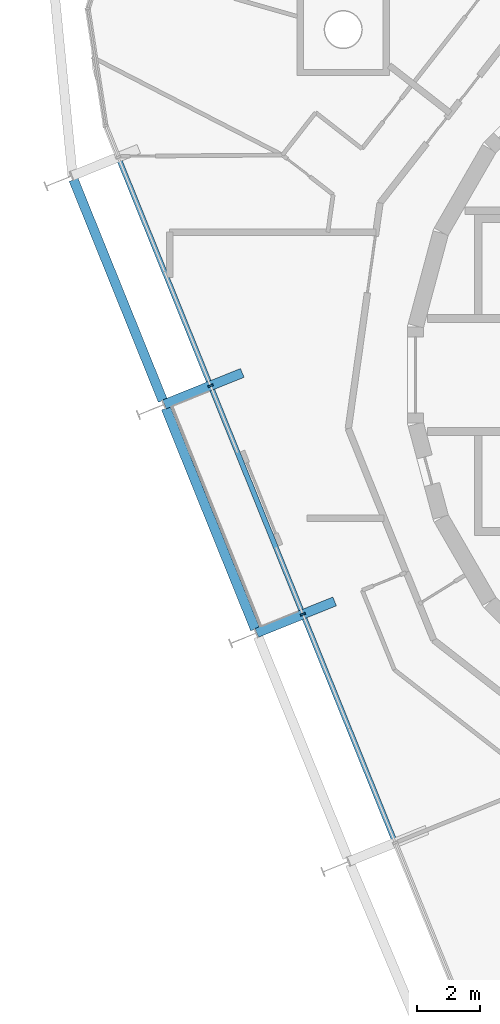
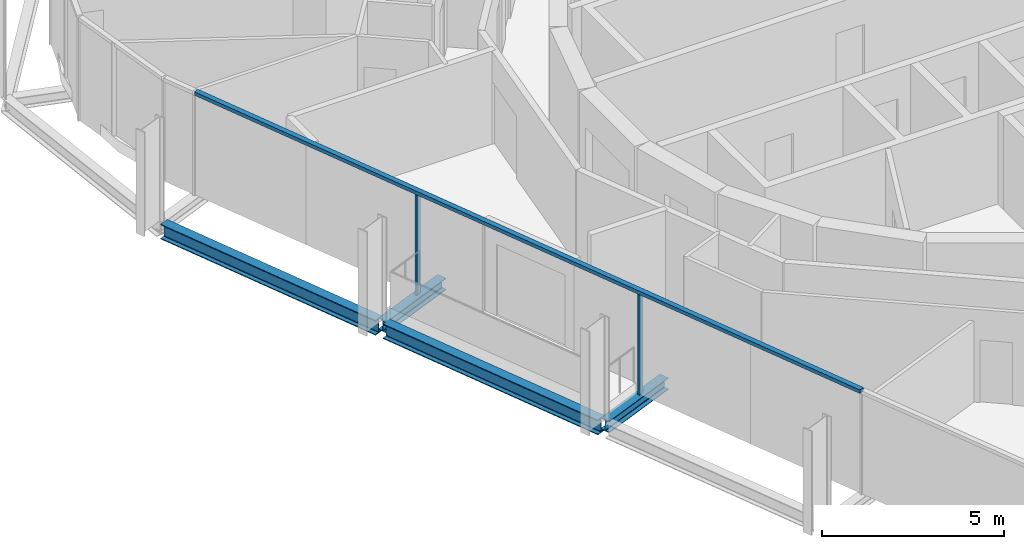
# One storey, part 3 of 15: 4 beams, 3 members, 1 element without a shape of its own.
"""IFC4 building model written with IfcOpenShell, lengths in metres."""

import ifcopenshell
import ifcopenshell.guid

model = None  # the IFC model being written
_history = None  # IfcOwnerHistory: only IFC2X3 demands one
_inside = {}  # id of a spatial element -> (the spatial element, [elements in it])
_under = {}  # id of a project, library or spatial element -> (it, [spatial elements below it])
_declared = {}  # id of a project -> (the project, [libraries it declares])
_typed = {}  # id of a type object -> (the type object, [elements of that type])
_made_of = {}  # id of a material, layer set ... -> (it, [elements and type objects made of it])


def new_model(schema):
    """Start an empty IFC model of exactly this schema.

    Asked for "IFC4X3", IfcOpenShell would pick the latest addendum, in which some entities
    have other attributes; the version numbers below select the first issue.
    IFC2X3 requires an IfcOwnerHistory on every rooted entity: one is made here for all.
    """
    global model, _history
    if schema == "IFC4X3":
        model = ifcopenshell.file(schema_version=(4, 3, 0, 0))
    else:
        model = ifcopenshell.file(schema=schema)
    _inside.clear()
    _under.clear()
    _declared.clear()
    _typed.clear()
    _made_of.clear()
    _history = None
    if model.schema == "IFC2X3":
        org = make("IfcOrganization", Name="unknown")
        user = make(
            "IfcPersonAndOrganization",
            ThePerson=make("IfcPerson", FamilyName="unknown"),
            TheOrganization=org,
        )
        app = make(
            "IfcApplication",
            ApplicationDeveloper=org,
            Version="unknown",
            ApplicationFullName="unknown",
            ApplicationIdentifier="unknown",
        )
        _history = make(
            "IfcOwnerHistory",
            OwningUser=user,
            OwningApplication=app,
            ChangeAction="ADDED",
            CreationDate=0,
        )
    return model


def make(cls, **values):
    """One entity of the class cls with the attributes given. An attribute that is None is left unset."""
    return model.create_entity(
        cls, **{name: value for name, value in values.items() if value is not None}
    )


def rooted(cls, **values):
    """An entity with a GlobalId (a new one), such as an element, a storey or a relation."""
    return make(cls, GlobalId=ifcopenshell.guid.new(), OwnerHistory=_history, **values)


def si_unit(unit_type, name, prefix=None):
    """IfcSIUnit, for example si_unit("LENGTHUNIT", "METRE", prefix="MILLI")."""
    return make("IfcSIUnit", UnitType=unit_type, Prefix=prefix, Name=name)


def assignment(units):
    """IfcUnitAssignment: the units of a project."""
    return None if units is None else make("IfcUnitAssignment", Units=units)


def point(xyz):
    """IfcCartesianPoint."""
    return None if xyz is None else make("IfcCartesianPoint", Coordinates=xyz)


def direction(xyz):
    """IfcDirection."""
    return None if xyz is None else make("IfcDirection", DirectionRatios=xyz)


def frame(location, z_axis=None, x_axis=None):
    """IfcAxis2Placement3D, a coordinate frame: its origin and axes. An axis left out is left unset."""
    return make(
        "IfcAxis2Placement3D",
        Location=point(location),
        Axis=direction(z_axis),
        RefDirection=direction(x_axis),
    )


def frame_2d(location, x_axis=None):
    """IfcAxis2Placement2D, a coordinate frame in the plane: its origin and x axis."""
    return make(
        "IfcAxis2Placement2D", Location=point(location), RefDirection=direction(x_axis)
    )


def origin():
    """The frame at (0, 0, 0) with its axes left unset."""
    return frame((0.0, 0.0, 0.0))


def origin_2d():
    """The frame at (0, 0) in the plane with its x axis left unset."""
    return frame_2d((0.0, 0.0))


def place(relative_to, where):
    """IfcLocalPlacement: puts the frame where relative to a parent placement (None: the world)."""
    return make(
        "IfcLocalPlacement", PlacementRelTo=relative_to, RelativePlacement=where
    )


def context(
    kind, dimensions, precision=None, world=None, true_north=None, identifier=None
):
    """IfcGeometricRepresentationContext, for example the 3D "Model" context."""
    return make(
        "IfcGeometricRepresentationContext",
        ContextIdentifier=identifier,
        ContextType=kind,
        CoordinateSpaceDimension=dimensions,
        Precision=precision,
        WorldCoordinateSystem=world,
        TrueNorth=true_north,
    )


def subcontext(parent, identifier, kind, view, scale=None):
    """IfcGeometricRepresentationSubContext, for example "Body" below "Model"."""
    return make(
        "IfcGeometricRepresentationSubContext",
        ContextIdentifier=identifier,
        ContextType=kind,
        ParentContext=parent,
        TargetScale=scale,
        TargetView=view,
    )


def project(units=None, contexts=None):
    """IfcProject with its units and contexts."""
    return rooted(
        "IfcProject",
        Name="project",
        RepresentationContexts=contexts,
        UnitsInContext=assignment(units),
    )


def spatial(cls, under=None, at=None, **own):
    """A site, building, storey or space (cls), placed at a placement, below another one or the project."""
    s = rooted(cls, ObjectPlacement=at, **own)
    if under is not None:
        _under.setdefault(under.id(), (under, []))[1].append(s)
    return s


def profile(cls, at=None, kind="AREA", **sizes):
    """A parametric profile (cls). Its sizes go by their IFC names, for example OverallWidth=200.0."""
    return make(cls, ProfileType=kind, Position=at, **sizes)


def rectangle(**sizes):
    """IfcRectangleProfileDef."""
    return profile("IfcRectangleProfileDef", **sizes)


def i_section(**sizes):
    """IfcIShapeProfileDef."""
    return profile("IfcIShapeProfileDef", **sizes)


def extrude(swept, where, along, depth):
    """IfcExtrudedAreaSolid: the profile swept, set in the frame where, extruded along a direction by depth."""
    return make(
        "IfcExtrudedAreaSolid",
        SweptArea=swept,
        Position=where,
        ExtrudedDirection=direction(along),
        Depth=depth,
    )


def shape(context_of_items, identifier, shape_type, items):
    """IfcShapeRepresentation: the items that make up one representation, for example the "Body"."""
    return make(
        "IfcShapeRepresentation",
        ContextOfItems=context_of_items,
        RepresentationIdentifier=identifier,
        RepresentationType=shape_type,
        Items=items,
    )


def material(Name=None, Category=None):
    """IfcMaterial."""
    return make("IfcMaterial", Name=Name, Category=Category)


def layer(
    of_material, thickness, ventilated=None, Name=None, Category=None, Priority=None
):
    """IfcMaterialLayer: one layer of a wall or slab, of a material (None: an air gap)."""
    return make(
        "IfcMaterialLayer",
        Material=of_material,
        LayerThickness=thickness,
        IsVentilated=ventilated,
        Name=Name,
        Category=Category,
        Priority=Priority,
    )


def layer_set(layers, Name=None):
    """IfcMaterialLayerSet."""
    return make("IfcMaterialLayerSet", MaterialLayers=layers, LayerSetName=Name)


def material_profile(
    of_material, cross_section, Name=None, Category=None, Priority=None
):
    """IfcMaterialProfile: a cross section and its material."""
    return make(
        "IfcMaterialProfile",
        Name=Name,
        Material=of_material,
        Profile=cross_section,
        Priority=Priority,
        Category=Category,
    )


def profile_set(profiles, Name=None, composite=None):
    """IfcMaterialProfileSet."""
    return make(
        "IfcMaterialProfileSet",
        Name=Name,
        MaterialProfiles=profiles,
        CompositeProfile=composite,
    )


def made_of(thing, what):
    """Note that an element or type object is made of a material, layer set ...; save() writes the relation."""
    if what is not None:
        _made_of.setdefault(what.id(), (what, []))[1].append(thing)
    return thing


def type_object(cls, material=None, **own):
    """A type object (cls), such as IfcWallType, which elements share."""
    return made_of(rooted(cls, **own), material)


def element(
    cls,
    number,
    at=None,
    inside=None,
    cuts=None,
    type_object=None,
    material=None,
    context=None,
    identifier="Body",
    shape_type=None,
    held_by="IfcProductDefinitionShape",
    body=None,
    shapes=None,
    **own,
):
    """One element of the class cls, such as IfcWall. Its Tag is "e" and its number.

    at: its placement. inside: the storey or other place that contains it. cuts: it is an
    opening in that element (IfcRelVoidsElement). A single representation is given by context,
    identifier, shape_type and body (its items); several are given by shapes. held_by: the class
    of the entity that holds the representations. save() writes the other relations.
    """
    e = rooted(cls, Tag="e%d" % number, ObjectPlacement=at, **own)
    if body is not None:
        shapes = [shape(context, identifier, shape_type, body)]
    if shapes is not None:
        e.Representation = make(held_by, Representations=shapes)
    if inside is not None:
        _inside.setdefault(inside.id(), (inside, []))[1].append(e)
    if cuts is not None:
        rooted(
            "IfcRelVoidsElement", RelatingBuildingElement=cuts, RelatedOpeningElement=e
        )
    if type_object is not None:
        _typed.setdefault(type_object.id(), (type_object, []))[1].append(e)
    return made_of(e, material)


def aggregate(whole, parts):
    """IfcRelAggregates: a whole, such as a stair, and the parts it consists of."""
    return rooted("IfcRelAggregates", RelatingObject=whole, RelatedObjects=parts)


def save(model, path):
    """Write the relations noted so far, then the file.

    IfcRelAggregates (storeys below a building ...), IfcRelContainedInSpatialStructure (elements
    in a storey), IfcRelDefinesByType, IfcRelAssociatesMaterial and IfcRelDeclares: one each for
    every whole, place, type object, material and project.
    """
    for whole, parts in _under.values():
        aggregate(whole, parts)
    for where, things in _inside.values():
        rooted(
            "IfcRelContainedInSpatialStructure",
            RelatedElements=things,
            RelatingStructure=where,
        )
    for kind, things in _typed.values():
        rooted("IfcRelDefinesByType", RelatedObjects=things, RelatingType=kind)
    for what, things in _made_of.values():
        rooted("IfcRelAssociatesMaterial", RelatedObjects=things, RelatingMaterial=what)
    for by, libraries in _declared.values():
        rooted("IfcRelDeclares", RelatingContext=by, RelatedDefinitions=libraries)
    model.write(path)


model = new_model("IFC4")

# Units and contexts
model_context = context("Model", 3, precision=1e-05, world=origin(), true_north=direction((0.0, 1.0)))
body_context = subcontext(model_context, "Body", "Model", "MODEL_VIEW")
ifc_project = project(units=[si_unit("LENGTHUNIT", "METRE"), si_unit("AREAUNIT", "SQUARE_METRE"), si_unit("VOLUMEUNIT", "CUBIC_METRE"), si_unit("PLANEANGLEUNIT", "RADIAN"), si_unit("MASSUNIT", "GRAM", prefix="KILO")], contexts=[model_context])

# Site, building, storey
site_placement = place(None, origin())
site = spatial("IfcSite", under=ifc_project, at=site_placement, CompositionType="ELEMENT")
building_placement = place(site_placement, origin())
building = spatial("IfcBuilding", under=site, at=building_placement, Name="Spindle Arch Residences", CompositionType="ELEMENT")
storey_placement = place(building_placement, frame((0.0, 0.0, 354.0)))
storey = spatial("IfcBuildingStorey", under=building, at=storey_placement, Name="L91", CompositionType="ELEMENT", Elevation=354.0)

# Curtain wall, members
ifc_material_1 = material(Name="Aluminium bronze unitised frame with tinted glass", Category="aluminium")
ifc_layer = layer(ifc_material_1, 0.159912109375)
ifc_layer_set = layer_set([ifc_layer], Name="CW-C typical residential unitised wall")
curtain_wall_type = type_object("IfcCurtainWallType", Name="CW-C typical residential unitised wall", PredefinedType="NOTDEFINED", material=ifc_layer_set)
curtain_wall_placement = place(storey_placement, origin())
curtain_wall = element("IfcCurtainWall", 1, at=curtain_wall_placement, inside=storey, type_object=curtain_wall_type, Name="CW-C L91 run 4", PredefinedType="NOTDEFINED")
ifc_material_2 = material(Name="Aluminium bronze anodised mullion", Category="aluminium")
ifc_material_profile_1 = material_profile(ifc_material_2, rectangle(XDim=0.159912109375, YDim=0.06005859375, at=origin_2d()), Name="MU 60x160")
ifc_profile_set_1 = profile_set([ifc_material_profile_1], Name="Aluminium bronze anodised mullion")
member_type_1 = type_object("IfcMemberType", Name="Bronze mullion 60x160", PredefinedType="MULLION", material=ifc_profile_set_1)
member_1_placement = place(storey_placement, frame((-18.110595703125, -0.337646484375, -0.3798828125), z_axis=(0.0, 0.0, 1.0), x_axis=(0.927183854567, 0.374606593416, 0.0)))
member_1 = element("IfcMember", 2, at=member_1_placement, type_object=member_type_1, Name="CW-C mullion 12", PredefinedType="MULLION", context=body_context, shape_type="SweptSolid", body=[
    extrude(rectangle(XDim=0.159912109375, YDim=0.06005859375, at=origin_2d()), origin(), (0.0, 0.0, 1.0), 3.3798828125),
])
member_2_placement = place(storey_placement, frame((-15.20166015625, -7.537841796875, -0.3798828125), z_axis=(0.0, 0.0, 1.0), x_axis=(0.927183854567, 0.374606593416, 0.0)))
member_2 = element("IfcMember", 3, at=member_2_placement, type_object=member_type_1, Name="CW-C mullion 13", PredefinedType="MULLION", context=body_context, shape_type="SweptSolid", body=[
    extrude(rectangle(XDim=0.159912109375, YDim=0.06005859375, at=origin_2d()), origin(), (0.0, 0.0, 1.0), 3.3798828125),
])
ifc_material_3 = material(Name="Aluminium bronze anodised transom", Category="aluminium")
ifc_material_profile_2 = material_profile(ifc_material_3, rectangle(XDim=0.159912109375, YDim=0.1201171875, at=origin_2d()), Name="TR 120x160")
ifc_profile_set_2 = profile_set([ifc_material_profile_2], Name="Aluminium bronze anodised transom")
member_type_2 = type_object("IfcMemberType", Name="Bronze transom 120x160", PredefinedType="USERDEFINED", material=ifc_profile_set_2)
member_3_placement = place(storey_placement, frame((-21.008544921875, 6.834716796875, 3.06005859375), z_axis=(0.374602019708, -0.927185702452, 0.0), x_axis=(0.927185702452, 0.374602019708, 0.0)))
member_3 = element("IfcMember", 4, at=member_3_placement, type_object=member_type_2, Name="CW-C transom 00", ObjectType="TRANSOM", PredefinedType="USERDEFINED", context=body_context, shape_type="SweptSolid", body=[
    extrude(rectangle(XDim=0.159912109375, YDim=0.1201171875, at=origin_2d()), origin(), (0.0, 0.0, 1.0), 23.23681640625),
])
aggregate(curtain_wall, [member_3, member_1, member_2])

# Beams
ifc_material_4 = material(Name="Steel S460ML, intumescent coating R 120", Category="steel")
ifc_material_profile_3 = material_profile(ifc_material_4, i_section(OverallWidth=0.300048828125, OverallDepth=0.5, WebThickness=0.014404296875, FlangeThickness=0.028076171875, FilletRadius=0.027099609375, at=origin_2d()), Name="HEB 500")
ifc_profile_set_3 = profile_set([ifc_material_profile_3], Name="Steel S460ML, intumescent coating R 120")
beam_type_1 = type_object("IfcBeamType", Name="Exoskeleton edge beam HEB 500", PredefinedType="BEAM", material=ifc_profile_set_3)
beam_1_placement = place(storey_placement, frame((-22.4267578125, 6.15380859375, -0.6298828125), z_axis=(0.374613092792, -0.927181228622, 0.0), x_axis=(0.927181228622, 0.374613092792, 0.0)))
element("IfcBeam", 5, at=beam_1_placement, inside=storey, type_object=beam_type_1, Name="Exoskeleton edge beam 12", PredefinedType="BEAM", context=body_context, shape_type="SweptSolid", body=[
    extrude(i_section(OverallWidth=0.300048828125, OverallDepth=0.5, WebThickness=0.014404296875, FlangeThickness=0.028076171875, FilletRadius=0.027099609375, at=origin_2d()), origin(), (0.0, 0.0, 1.0), 7.505859375),
])
beam_2_placement = place(storey_placement, frame((-19.517578125, -1.04638671875, -0.6298828125), z_axis=(0.374596427458, -0.927187961816, 0.0), x_axis=(0.927187961816, 0.374596427458, 0.0)))
element("IfcBeam", 6, at=beam_2_placement, inside=storey, type_object=beam_type_1, Name="Exoskeleton edge beam 13", PredefinedType="BEAM", context=body_context, shape_type="SweptSolid", body=[
    extrude(i_section(OverallWidth=0.300048828125, OverallDepth=0.5, WebThickness=0.014404296875, FlangeThickness=0.028076171875, FilletRadius=0.027099609375, at=origin_2d()), origin(), (0.0, 0.0, 1.0), 7.50537109375),
])
ifc_material_5 = material(Name="Steel S460ML, intumescent coating R 120", Category="steel")
ifc_material_profile_4 = material_profile(ifc_material_5, i_section(OverallWidth=0.300048828125, OverallDepth=0.389892578125, WebThickness=0.010986328125, FlangeThickness=0.01904296875, FilletRadius=0.027099609375, at=origin_2d()), Name="HEA 400")
ifc_profile_set_4 = profile_set([ifc_material_profile_4], Name="Steel S460ML, intumescent coating R 120")
beam_type_2 = type_object("IfcBeamType", Name="Floor outrigger HEA 400", PredefinedType="BEAM", material=ifc_profile_set_4)
beam_3_placement = place(storey_placement, frame((-19.56640625, -0.92578125, -0.574951171875), z_axis=(0.927187692393, 0.374597094323, 0.0), x_axis=(-0.374597094323, 0.927187692393, 0.0)))
element("IfcBeam", 7, at=beam_3_placement, inside=storey, type_object=beam_type_2, Name="Floor outrigger 13", PredefinedType="BEAM", context=body_context, shape_type="SweptSolid", body=[
    extrude(i_section(OverallWidth=0.300048828125, OverallDepth=0.389892578125, WebThickness=0.010986328125, FlangeThickness=0.01904296875, FilletRadius=0.027099609375, at=origin_2d()), origin(), (0.0, 0.0, 1.0), 2.64990234375),
])
beam_4_placement = place(storey_placement, frame((-16.657470703125, -8.1259765625, -0.574951171875), z_axis=(0.927200618573, 0.374565098372, 0.0), x_axis=(-0.374565098372, 0.927200618573, 0.0)))
element("IfcBeam", 8, at=beam_4_placement, inside=storey, type_object=beam_type_2, Name="Floor outrigger 14", PredefinedType="BEAM", context=body_context, shape_type="SweptSolid", body=[
    extrude(i_section(OverallWidth=0.300048828125, OverallDepth=0.389892578125, WebThickness=0.010986328125, FlangeThickness=0.01904296875, FilletRadius=0.027099609375, at=origin_2d()), origin(), (0.0, 0.0, 1.0), 2.650146484375),
])

save(model, "model.ifc")
